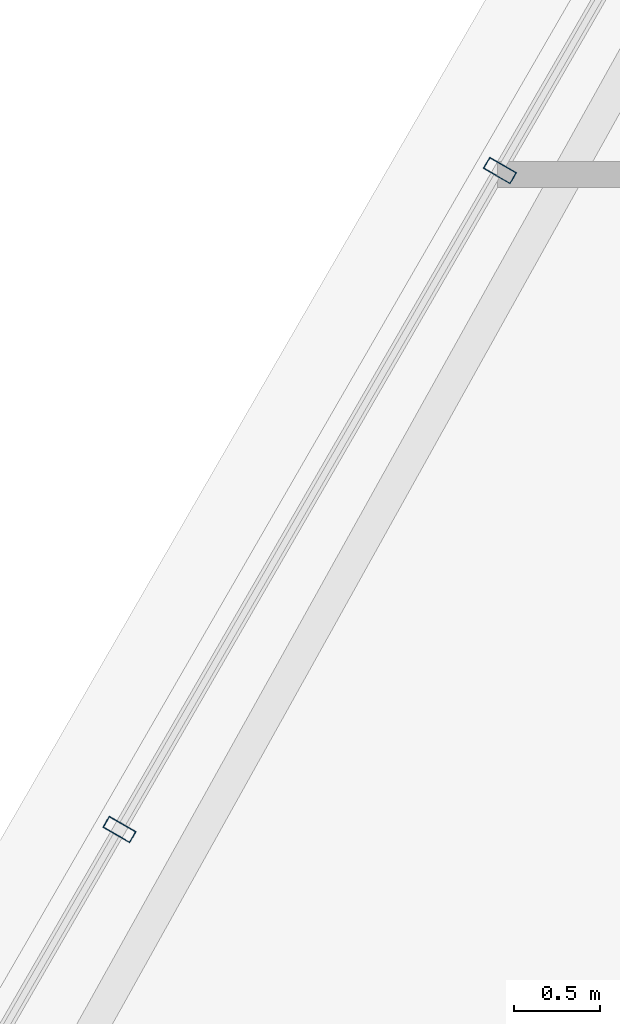
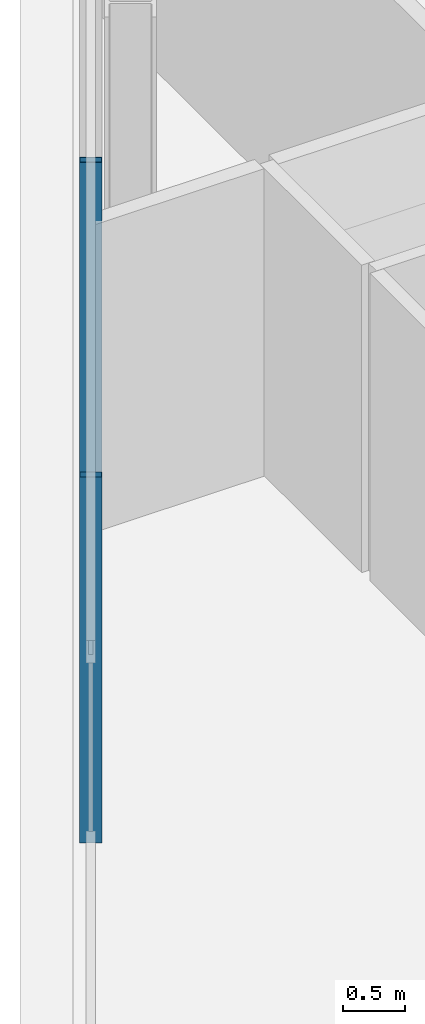
# One storey, part 11 of 32: 2 members, 1 element without a shape of its own.
"""IFC4 building model written with IfcOpenShell, lengths in metres."""

from ifc_helpers import new_model, si_unit, direction, frame, origin, origin_2d, place, context, subcontext, project, spatial, hollow_rectangle, extrude, material, layer, layer_set, material_profile, profile_set, type_object, element, aggregate, save


model = new_model("IFC4")

# Units and contexts
model_context = context("Model", 3, precision=1e-05, world=origin(), true_north=direction((0.0, 1.0)))
body_context = subcontext(model_context, "Body", "Model", "MODEL_VIEW")
ifc_project = project(units=[si_unit("LENGTHUNIT", "METRE"), si_unit("AREAUNIT", "SQUARE_METRE"), si_unit("VOLUMEUNIT", "CUBIC_METRE"), si_unit("PLANEANGLEUNIT", "RADIAN"), si_unit("MASSUNIT", "GRAM", prefix="KILO")], contexts=[model_context])

# Site, building, storey
site_placement = place(None, origin())
site = spatial("IfcSite", under=ifc_project, at=site_placement, CompositionType="ELEMENT")
building_placement = place(site_placement, origin())
building = spatial("IfcBuilding", under=site, at=building_placement, Name="Ndaravel Arena Tower", CompositionType="ELEMENT")
storey_placement = place(building_placement, frame((0.0, 0.0, 252.199951171875)))
storey = spatial("IfcBuildingStorey", under=building, at=storey_placement, Name="L61", CompositionType="ELEMENT", Elevation=252.199951171875)

# Curtain wall, members
ifc_material_1 = material(Name="Aluminium", Category="aluminium")
ifc_layer = layer(ifc_material_1, 0.179931640625)
ifc_layer_set = layer_set([ifc_layer], Name="Aluminium")
curtain_wall_type = type_object("IfcCurtainWallType", Name="CW-SYS-03", PredefinedType="NOTDEFINED", material=ifc_layer_set)
curtain_wall_placement = place(storey_placement, origin())
curtain_wall = element("IfcCurtainWall", 1, at=curtain_wall_placement, inside=storey, type_object=curtain_wall_type, Name="L61 Faceted Crystal Curtain Wall CW-L61-E05", PredefinedType="NOTDEFINED")
ifc_material_2 = material(Name="Aluminium", Category="aluminium")
ifc_material_profile = material_profile(ifc_material_2, hollow_rectangle(XDim=0.074951171875, YDim=0.179931640625, WallThickness=0.00390625, at=origin_2d()), Name="CW MULLION 75x180x4")
ifc_profile_set = profile_set([ifc_material_profile], Name="Aluminium")
member_type = type_object("IfcMemberType", Name="MEM-CW-MUL180", PredefinedType="MULLION", material=ifc_profile_set)
member_1_placement = place(storey_placement, frame((27.984619140625, 25.6240234375, 0.0), z_axis=(0.0, 0.0, 1.0), x_axis=(-0.5, -0.866025403784, 0.0)))
member_1 = element("IfcMember", 2, at=member_1_placement, type_object=member_type, Name="CW-L61-E05 Mullion 05", PredefinedType="MULLION", context=body_context, shape_type="SweptSolid", body=[
    extrude(hollow_rectangle(XDim=0.074951171875, YDim=0.179931640625, WallThickness=0.00390625, at=origin_2d()), origin(), (0.0, 0.0, 1.0), 3.580078125),
])
member_2_placement = place(storey_placement, frame((25.784423828125, 21.81298828125, 0.0), z_axis=(0.0, 0.0, 1.0), x_axis=(-0.5, -0.866025403784, 0.0)))
member_2 = element("IfcMember", 3, at=member_2_placement, type_object=member_type, Name="CW-L61-E05 Mullion 06", PredefinedType="MULLION", context=body_context, shape_type="SweptSolid", body=[
    extrude(hollow_rectangle(XDim=0.074951171875, YDim=0.179931640625, WallThickness=0.00390625, at=origin_2d()), origin(), (0.0, 0.0, 1.0), 3.580078125),
])
aggregate(curtain_wall, [member_1, member_2])

save(model, "model.ifc")
